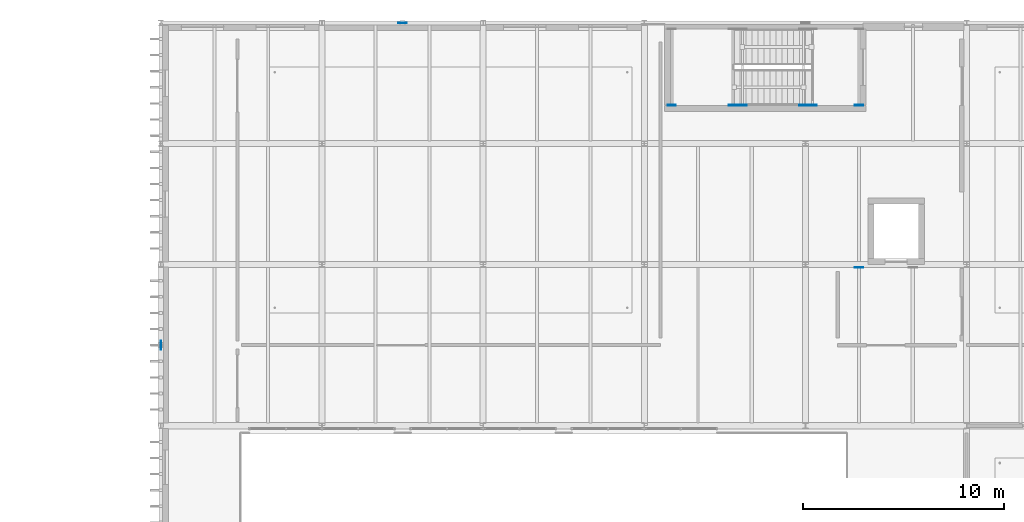
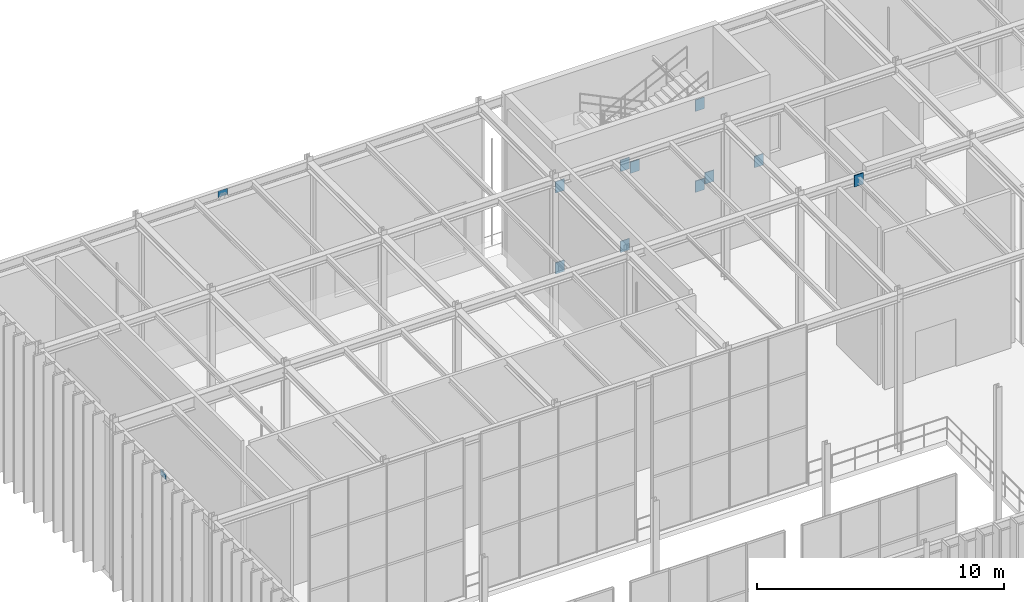
# One storey, part 84 of 138: 12 plates.
"""IFC4 building model written with IfcOpenShell, lengths in metres."""

from ifc_helpers import new_model, si_unit, direction, frame, origin, origin_2d, place, context, subcontext, project, spatial, rectangle, extrude, material, layer, layer_set, type_object, element, save


model = new_model("IFC4")

# Units and contexts
model_context = context("Model", 3, precision=1e-05, world=origin(), true_north=direction((0.0, 1.0)))
body_context = subcontext(model_context, "Body", "Model", "MODEL_VIEW")
ifc_project = project(units=[si_unit("LENGTHUNIT", "METRE"), si_unit("AREAUNIT", "SQUARE_METRE"), si_unit("VOLUMEUNIT", "CUBIC_METRE"), si_unit("PLANEANGLEUNIT", "RADIAN"), si_unit("MASSUNIT", "GRAM", prefix="KILO")], contexts=[model_context])

# Site, building, storey
site_placement = place(None, origin())
site = spatial("IfcSite", under=ifc_project, at=site_placement, CompositionType="ELEMENT")
building_placement = place(site_placement, origin())
building = spatial("IfcBuilding", under=site, at=building_placement, Name="Sundkrona Museum", CompositionType="ELEMENT")
storey_placement = place(building_placement, frame((0.0, 0.0, 9.60009765625)))
storey = spatial("IfcBuildingStorey", under=building, at=storey_placement, Name="L02", CompositionType="ELEMENT", Elevation=9.60009765625)

# Plates
ifc_material = material(Name="Steel S355J2", Category="steel")
ifc_layer_1 = layer(ifc_material, 0.034912109375)
ifc_layer_set_1 = layer_set([ifc_layer_1], Name="Steel S355J2")
plate_type_1 = type_object("IfcPlateType", Name="EP-1", PredefinedType="USERDEFINED", material=ifc_layer_set_1)
for number, where, z_axis, x_axis, name in (
    (1, (50.666748046875, 101.85595703125, 7.329833984375), (0.0, 0.0, 1.0), (1.0, 0.0, 0.0), "Core Wall Cast-In Embed Plate JS-L02-0804-2"),
    (2, (41.36328125, 109.909912109375, 1.39990234375), (0.0, 0.0, 1.0), (1.0, 0.0, 0.0), "Core Wall Cast-In Embed Plate BM-STLD-ST-3-L02-1A-1"),
    (3, (44.401611328125, 109.909912109375, 1.39990234375), (0.0, 0.0, 1.0), (1.0, 0.0, 0.0), "Core Wall Cast-In Embed Plate BM-STLD-ST-3-L02-1B-1"),
    (4, (48.347900390625, 109.909912109375, 3.39990234375), (0.0, 0.0, 1.0), (1.0, 0.0, 0.0), "Core Wall Cast-In Embed Plate BM-STLD-ST-3-L02-2A-1"),
    (5, (50.652099609375, 109.909912109375, 3.39990234375), (0.0, 0.0, 1.0), (1.0, 0.0, 0.0), "Core Wall Cast-In Embed Plate BM-STLD-ST-3-L02-2B-1"),
    (6, (41.36328125, 109.909912109375, 5.39990234375), (0.0, 0.0, 1.0), (1.0, 0.0, 0.0), "Core Wall Cast-In Embed Plate BM-STLD-ST-3-L02-3A-1"),
    (7, (44.401611328125, 109.909912109375, 5.39990234375), (0.0, 0.0, 1.0), (1.0, 0.0, 0.0), "Core Wall Cast-In Embed Plate BM-STLD-ST-3-L02-3B-1"),
    (8, (47.89990234375, 109.909912109375, 3.143798828125), (0.0, 0.0, 1.0), (1.0, 0.0, 0.0), "Core Wall Cast-In Embed Plate BM-STHD-ST-3-L02-2-1"),
    (9, (44.864990234375, 109.909912109375, 5.143798828125), (0.0, 0.0, 1.0), (1.0, 0.0, 0.0), "Core Wall Cast-In Embed Plate BM-STHD-ST-3-L02-3-1"),
    (10, (47.89990234375, 109.909912109375, 7.143798828125), (0.0, 0.0, 1.0), (1.0, 0.0, 0.0), "Core Wall Cast-In Embed Plate BM-STHD-ST-3-L02-4-1"),
):
    element("IfcPlate", number, at=place(storey_placement, frame(where, z_axis=z_axis, x_axis=x_axis)), inside=storey, type_object=plate_type_1, Name=name, ObjectType="GUSSET PLATE", PredefinedType="USERDEFINED", context=body_context, shape_type="SweptSolid", body=[
        extrude(rectangle(XDim=0.419921875, YDim=0.034912109375, at=origin_2d()), origin(), (0.0, 0.0, 1.0), 0.56005859375),
    ])
ifc_layer_2 = layer(ifc_material, 0.02197265625)
ifc_layer_set_2 = layer_set([ifc_layer_2], Name="Steel S355J2")
plate_type_2 = type_object("IfcPlateType", Name="GP-5", PredefinedType="USERDEFINED", material=ifc_layer_set_2)
for number, where, z_axis, x_axis, name in (
    (11, (28.0, 114.0, 7.384765625), (0.0, 0.0, 1.0), (1.0, 0.0, 0.0), "L02 Chevron Apex Gusset Plate 016"),
    (12, (16.0, 98.0, 7.384765625), (0.0, 0.0, 1.0), (0.0, 1.0, 0.0), "L02 Chevron Apex Gusset Plate 023"),
):
    element("IfcPlate", number, at=place(storey_placement, frame(where, z_axis=z_axis, x_axis=x_axis)), inside=storey, type_object=plate_type_2, Name=name, ObjectType="GUSSET PLATE", PredefinedType="USERDEFINED", context=body_context, shape_type="SweptSolid", body=[
        extrude(rectangle(XDim=0.43994140625, YDim=0.02197265625, at=origin_2d()), origin(), (0.0, 0.0, 1.0), 0.31005859375),
    ])

save(model, "model.ifc")
